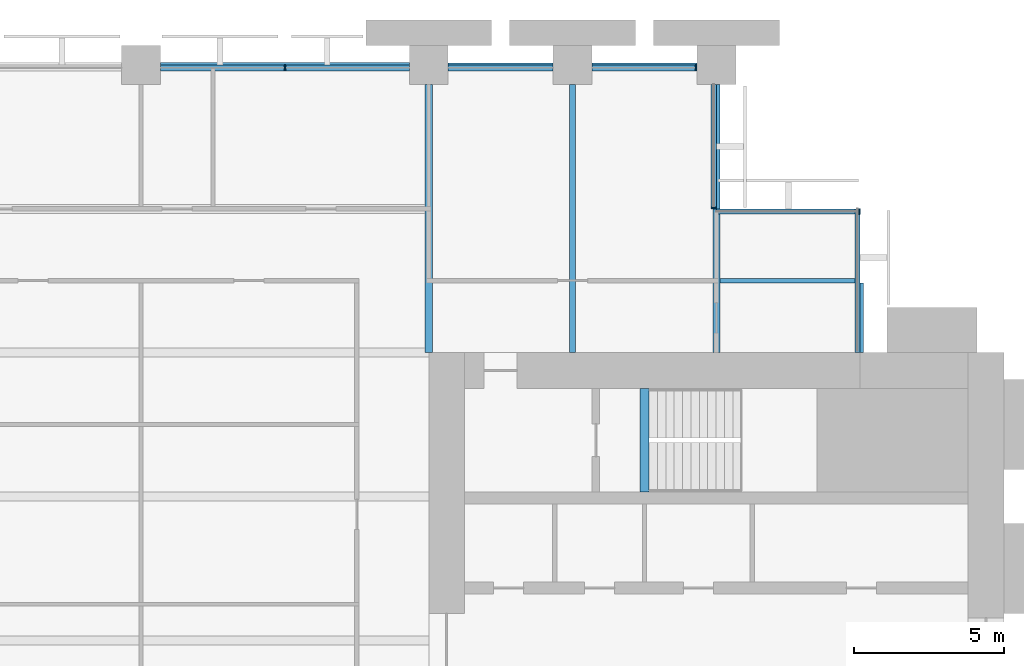
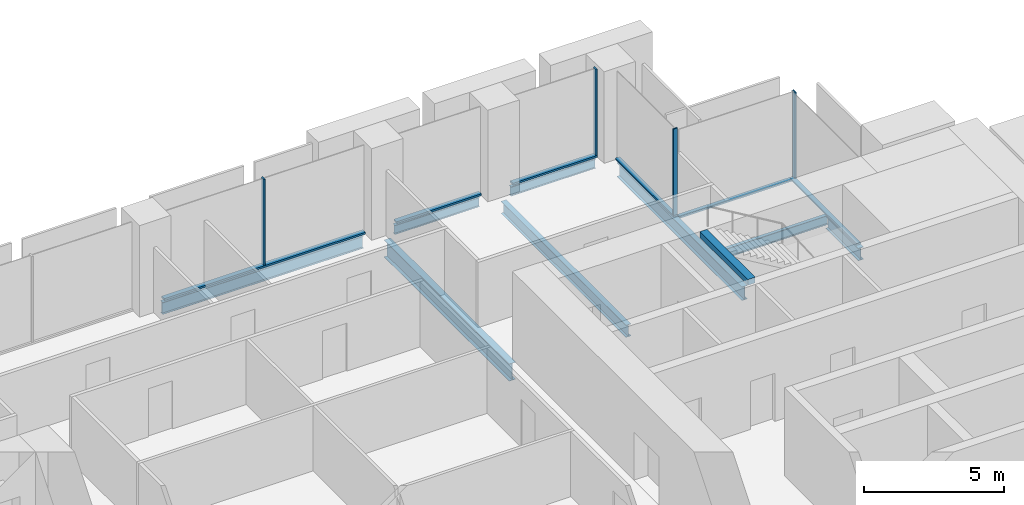
# One storey, part 7 of 14: 10 members, 9 beams, 4 elements without a shape of their own.
"""IFC4 building model written with IfcOpenShell, lengths in metres."""

from ifc_helpers import new_model, si_unit, direction, frame, origin, origin_2d, place, context, subcontext, project, spatial, rectangle, i_section, extrude, material, material_profile, profile_set, type_object, element, aggregate, save


model = new_model("IFC4")

# Units and contexts
model_context = context("Model", 3, precision=1e-05, world=origin(), true_north=direction((0.0, 1.0)))
body_context = subcontext(model_context, "Body", "Model", "MODEL_VIEW")
ifc_project = project(units=[si_unit("LENGTHUNIT", "METRE"), si_unit("AREAUNIT", "SQUARE_METRE"), si_unit("VOLUMEUNIT", "CUBIC_METRE"), si_unit("PLANEANGLEUNIT", "RADIAN"), si_unit("MASSUNIT", "GRAM", prefix="KILO")], contexts=[model_context])

# Site, building, storey
site_placement = place(None, origin())
site = spatial("IfcSite", under=ifc_project, at=site_placement, CompositionType="ELEMENT")
building_placement = place(site_placement, origin())
building = spatial("IfcBuilding", under=site, at=building_placement, Name="Baori Bourse Tower", CompositionType="ELEMENT")
storey_placement = place(building_placement, frame((0.0, 0.0, 55.0)))
storey = spatial("IfcBuildingStorey", under=building, at=storey_placement, Name="L11", CompositionType="ELEMENT", Elevation=55.0)

# Curtain wall, members
ifc_material_1 = material(Name="Pale anodised aluminium", Category="aluminium")
curtain_wall_type_1 = type_object("IfcCurtainWallType", Name="CW1 Curtain wall", PredefinedType="NOTDEFINED", material=ifc_material_1)
curtain_wall_1_placement = place(storey_placement, origin())
curtain_wall_1 = element("IfcCurtainWall", 1, at=curtain_wall_1_placement, inside=storey, type_object=curtain_wall_type_1, Name="Curtain wall CW1 L11 4", PredefinedType="NOTDEFINED")
ifc_material_2 = material(Name="Pale anodised aluminium", Category="aluminium")
ifc_material_profile_1 = material_profile(ifc_material_2, rectangle(XDim=0.199951171875, YDim=0.06005859375, at=origin_2d()), Name="Mullion 60x200")
ifc_profile_set_1 = profile_set([ifc_material_profile_1], Name="Pale anodised aluminium")
member_type_1 = type_object("IfcMemberType", Name="CW1 Curtain wall mullion", PredefinedType="MULLION", material=ifc_profile_set_1)
member_1_placement = place(storey_placement, frame((47.320068359375, 47.89990234375, 0.080078125), z_axis=(0.0, 0.0, 1.0), x_axis=(0.0, -1.0, 0.0)))
member_1 = element("IfcMember", 2, at=member_1_placement, type_object=member_type_1, Name="Curtain wall CW1 mullion", PredefinedType="MULLION", context=body_context, shape_type="SweptSolid", body=[
    extrude(rectangle(XDim=0.199951171875, YDim=0.06005859375, at=origin_2d()), origin(), (0.0, 0.0, 1.0), 3.760009765625),
])
member_2_placement = place(storey_placement, frame((33.60009765625, 47.89990234375, 0.080078125), z_axis=(0.0, 0.0, 1.0), x_axis=(0.0, -1.0, 0.0)))
member_2 = element("IfcMember", 3, at=member_2_placement, type_object=member_type_1, Name="Curtain wall CW1 mullion", PredefinedType="MULLION", context=body_context, shape_type="SweptSolid", body=[
    extrude(rectangle(XDim=0.199951171875, YDim=0.06005859375, at=origin_2d()), origin(), (0.0, 0.0, 1.0), 3.760009765625),
])
ifc_material_3 = material(Name="Pale anodised aluminium", Category="aluminium")
ifc_material_profile_2 = material_profile(ifc_material_3, rectangle(XDim=0.199951171875, YDim=0.080078125, at=origin_2d()), Name="Transom 80x200")
ifc_profile_set_2 = profile_set([ifc_material_profile_2], Name="Pale anodised aluminium")
member_type_2 = type_object("IfcMemberType", Name="CW1 Curtain wall transom", PredefinedType="USERDEFINED", material=ifc_profile_set_2)
member_3_placement = place(storey_placement, frame((47.35009765625, 47.89990234375, 0.0400390625), z_axis=(-1.0, 0.0, 0.0), x_axis=(0.0, -1.0, 0.0)))
member_3 = element("IfcMember", 4, at=member_3_placement, type_object=member_type_2, Name="Curtain wall CW1 sill rail", ObjectType="TRANSOM", PredefinedType="USERDEFINED", context=body_context, shape_type="SweptSolid", body=[
    extrude(rectangle(XDim=0.199951171875, YDim=0.080078125, at=origin_2d()), origin(), (0.0, 0.0, 1.0), 3.5),
])
member_4_placement = place(storey_placement, frame((42.550048828125, 47.89990234375, 0.0400390625), z_axis=(-1.0, 0.0, 0.0), x_axis=(0.0, -1.0, 0.0)))
member_4 = element("IfcMember", 5, at=member_4_placement, type_object=member_type_2, Name="Curtain wall CW1 sill rail", ObjectType="TRANSOM", PredefinedType="USERDEFINED", context=body_context, shape_type="SweptSolid", body=[
    extrude(rectangle(XDim=0.199951171875, YDim=0.080078125, at=origin_2d()), origin(), (0.0, 0.0, 1.0), 3.5),
])
member_5_placement = place(storey_placement, frame((37.75, 47.89990234375, 0.0400390625), z_axis=(-1.0, 0.0, 0.0), x_axis=(0.0, -1.0, 0.0)))
member_5 = element("IfcMember", 6, at=member_5_placement, type_object=member_type_2, Name="Curtain wall CW1 sill rail", ObjectType="TRANSOM", PredefinedType="USERDEFINED", context=body_context, shape_type="SweptSolid", body=[
    extrude(rectangle(XDim=0.199951171875, YDim=0.080078125, at=origin_2d()), origin(), (0.0, 0.0, 1.0), 8.300048828125),
])
aggregate(curtain_wall_1, [member_3, member_1, member_4, member_5, member_2])

# Curtain wall, member
ifc_material_4 = material(Name="Pale anodised aluminium", Category="aluminium")
curtain_wall_type_2 = type_object("IfcCurtainWallType", Name="CW2 Curtain wall", PredefinedType="NOTDEFINED", material=ifc_material_4)
curtain_wall_2_placement = place(storey_placement, origin())
curtain_wall_2 = element("IfcCurtainWall", 7, at=curtain_wall_2_placement, inside=storey, type_object=curtain_wall_type_2, Name="Curtain wall CW2 L11 2", PredefinedType="NOTDEFINED")
ifc_material_5 = material(Name="Pale anodised aluminium", Category="aluminium")
ifc_material_profile_3 = material_profile(ifc_material_5, rectangle(XDim=0.179931640625, YDim=0.054931640625, at=origin_2d()), Name="Mullion 55x180")
ifc_profile_set_3 = profile_set([ifc_material_profile_3], Name="Pale anodised aluminium")
member_type_3 = type_object("IfcMemberType", Name="CW2 Curtain wall mullion", PredefinedType="MULLION", material=ifc_profile_set_3)
member_6_placement = place(storey_placement, frame((52.7724609375, 43.110107421875, 0.070068359375), z_axis=(0.0, 0.0, 1.0), x_axis=(0.0, -1.0, 0.0)))
member_6 = element("IfcMember", 8, at=member_6_placement, type_object=member_type_3, Name="Curtain wall CW2 mullion", PredefinedType="MULLION", context=body_context, shape_type="SweptSolid", body=[
    extrude(rectangle(XDim=0.179931640625, YDim=0.054931640625, at=origin_2d()), origin(), (0.0, 0.0, 1.0), 3.77001953125),
])

curtain_wall_3_placement = place(storey_placement, origin())
curtain_wall_3 = element("IfcCurtainWall", 9, at=curtain_wall_3_placement, inside=storey, type_object=curtain_wall_type_2, Name="Curtain wall CW2 L11 3", PredefinedType="NOTDEFINED")
member_7_placement = place(storey_placement, frame((47.909912109375, 43.2275390625, 0.070068359375), z_axis=(0.0, 0.0, 1.0), x_axis=(-1.0, 0.0, 0.0)))
member_7 = element("IfcMember", 10, at=member_7_placement, type_object=member_type_3, Name="Curtain wall CW2 mullion", PredefinedType="MULLION", context=body_context, shape_type="SweptSolid", body=[
    extrude(rectangle(XDim=0.179931640625, YDim=0.054931640625, at=origin_2d()), origin(), (0.0, 0.0, 1.0), 3.77001953125),
])

curtain_wall_4_placement = place(storey_placement, origin())
curtain_wall_4 = element("IfcCurtainWall", 11, at=curtain_wall_4_placement, inside=storey, type_object=curtain_wall_type_2, Name="Curtain wall CW2 L11 1", PredefinedType="NOTDEFINED")
ifc_material_6 = material(Name="Pale anodised aluminium", Category="aluminium")
ifc_material_profile_4 = material_profile(ifc_material_6, rectangle(XDim=0.179931640625, YDim=0.070068359375, at=origin_2d()), Name="Transom 70x180")
ifc_profile_set_4 = profile_set([ifc_material_profile_4], Name="Pale anodised aluminium")
member_type_4 = type_object("IfcMemberType", Name="CW2 Curtain wall transom", PredefinedType="USERDEFINED", material=ifc_profile_set_4)
member_8_placement = place(storey_placement, frame((52.7099609375, 38.39990234375, 0.034912109375), z_axis=(0.0, 1.0, 0.0), x_axis=(-1.0, 0.0, 0.0)))
member_8 = element("IfcMember", 12, at=member_8_placement, type_object=member_type_4, Name="Curtain wall CW2 sill rail", ObjectType="TRANSOM", PredefinedType="USERDEFINED", context=body_context, shape_type="SweptSolid", body=[
    extrude(rectangle(XDim=0.179931640625, YDim=0.070068359375, at=origin_2d()), origin(), (0.0, 0.0, 1.0), 4.800048828125),
])
aggregate(curtain_wall_4, [member_8])

# Member
member_9_placement = place(storey_placement, frame((52.800048828125, 43.110107421875, 0.034912109375), z_axis=(-1.0, 0.0, 0.0), x_axis=(0.0, -1.0, 0.0)))
member_9 = element("IfcMember", 13, at=member_9_placement, type_object=member_type_4, Name="Curtain wall CW2 sill rail", ObjectType="TRANSOM", PredefinedType="USERDEFINED", context=body_context, shape_type="SweptSolid", body=[
    extrude(rectangle(XDim=0.179931640625, YDim=0.070068359375, at=origin_2d()), origin(), (0.0, 0.0, 1.0), 4.800048828125),
])

aggregate(curtain_wall_2, [member_9, member_6])

member_10_placement = place(storey_placement, frame((47.909912109375, 43.199951171875, 0.034912109375), z_axis=(0.0, 1.0, 0.0), x_axis=(-1.0, 0.0, 0.0)))
member_10 = element("IfcMember", 14, at=member_10_placement, type_object=member_type_4, Name="Curtain wall CW2 sill rail", ObjectType="TRANSOM", PredefinedType="USERDEFINED", context=body_context, shape_type="SweptSolid", body=[
    extrude(rectangle(XDim=0.179931640625, YDim=0.070068359375, at=origin_2d()), origin(), (0.0, 0.0, 1.0), 4.150146484375),
])

aggregate(curtain_wall_3, [member_10, member_7])

# Beams
ifc_material_7 = material(Name="Steel A992 Gr 50", Category="steel")
ifc_material_profile_5 = material_profile(ifc_material_7, i_section(OverallWidth=0.21240234375, OverallDepth=0.54345703125, WebThickness=0.01318359375, FlangeThickness=0.021240234375, at=origin_2d()), Name="W21x83")
ifc_profile_set_5 = profile_set([ifc_material_profile_5], Name="Steel A992 Gr 50")
beam_type_1 = type_object("IfcBeamType", Name="Core bracket W21x83", PredefinedType="BEAM", material=ifc_profile_set_5)
beam_1_placement = place(storey_placement, frame((52.800048828125, 38.39990234375, -0.431884765625), z_axis=(0.0, 1.0, 0.0), x_axis=(-1.0, 0.0, 0.0)))
element("IfcBeam", 15, at=beam_1_placement, inside=storey, type_object=beam_type_1, Name="Core bracket L11", PredefinedType="BEAM", context=body_context, shape_type="SweptSolid", body=[
    extrude(i_section(OverallWidth=0.21240234375, OverallDepth=0.54345703125, WebThickness=0.01318359375, FlangeThickness=0.021240234375, at=origin_2d()), origin(), (0.0, 0.0, 1.0), 2.329833984375),
])
ifc_material_8 = material(Name="Steel A992 Gr 50", Category="steel")
ifc_material_profile_6 = material_profile(ifc_material_8, i_section(OverallWidth=0.140380859375, OverallDepth=0.40380859375, WebThickness=0.007080078125, FlangeThickness=0.01123046875, at=origin_2d()), Name="W16x31")
ifc_profile_set_6 = profile_set([ifc_material_profile_6], Name="Steel A992 Gr 50")
beam_type_2 = type_object("IfcBeamType", Name="Edge beam W16x31", PredefinedType="BEAM", material=ifc_profile_set_6)
for number, where, z_axis, x_axis, name in (
    (16, (39.050048828125, 48.0, -0.36181640625), (1.0, 0.0, 0.0), (0.0, 1.0, 0.0), "Edge beam L11"),
    (17, (43.85009765625, 48.0, -0.36181640625), (1.0, 0.0, 0.0), (0.0, 1.0, 0.0), "Edge beam L11"),
):
    element("IfcBeam", number, at=place(storey_placement, frame(where, z_axis=z_axis, x_axis=x_axis)), inside=storey, type_object=beam_type_2, Name=name, PredefinedType="BEAM", context=body_context, shape_type="SweptSolid", body=[
        extrude(i_section(OverallWidth=0.140380859375, OverallDepth=0.40380859375, WebThickness=0.007080078125, FlangeThickness=0.01123046875, at=origin_2d()), origin(), (0.0, 0.0, 1.0), 3.5),
    ])
ifc_material_9 = material(Name="Steel A992 Gr 50", Category="steel")
ifc_material_profile_7 = material_profile(ifc_material_9, i_section(OverallWidth=0.1650390625, OverallDepth=0.52587890625, WebThickness=0.0087890625, FlangeThickness=0.011474609375, at=origin_2d()), Name="W21x44")
ifc_profile_set_7 = profile_set([ifc_material_profile_7], Name="Steel A992 Gr 50")
beam_type_3 = type_object("IfcBeamType", Name="Edge beam W21x44", PredefinedType="BEAM", material=ifc_profile_set_7)
beam_2_placement = place(storey_placement, frame((29.449951171875, 48.0, -0.4228515625), z_axis=(1.0, 0.0, 0.0), x_axis=(0.0, 1.0, 0.0)))
element("IfcBeam", 18, at=beam_2_placement, inside=storey, type_object=beam_type_3, Name="Edge beam L11", PredefinedType="BEAM", context=body_context, shape_type="SweptSolid", body=[
    extrude(i_section(OverallWidth=0.1650390625, OverallDepth=0.52587890625, WebThickness=0.0087890625, FlangeThickness=0.011474609375, at=origin_2d()), origin(), (0.0, 0.0, 1.0), 8.300048828125),
])
ifc_material_10 = material(Name="Steel A992 Gr 50", Category="steel")
ifc_material_profile_8 = material_profile(ifc_material_10, i_section(OverallWidth=0.209228515625, OverallDepth=0.533447265625, WebThickness=0.01025390625, FlangeThickness=0.015625, at=origin_2d()), Name="W21x62")
ifc_profile_set_8 = profile_set([ifc_material_profile_8], Name="Steel A992 Gr 50")
beam_type_4 = type_object("IfcBeamType", Name="Floor beam W21x62", PredefinedType="BEAM", material=ifc_profile_set_8)
beam_3_placement = place(storey_placement, frame((43.199951171875, 38.39990234375, -0.4267578125), z_axis=(0.0, 1.0, 0.0), x_axis=(-1.0, 0.0, 0.0)))
element("IfcBeam", 19, at=beam_3_placement, inside=storey, type_object=beam_type_4, Name="Floor beam L11", PredefinedType="BEAM", context=body_context, shape_type="SweptSolid", body=[
    extrude(i_section(OverallWidth=0.209228515625, OverallDepth=0.533447265625, WebThickness=0.01025390625, FlangeThickness=0.015625, at=origin_2d()), origin(), (0.0, 0.0, 1.0), 8.9501953125),
])
ifc_material_11 = material(Name="Steel A992 Gr 50", Category="steel")
ifc_material_profile_9 = material_profile(ifc_material_11, i_section(OverallWidth=0.227783203125, OverallDepth=0.60205078125, WebThickness=0.010498046875, FlangeThickness=0.014892578125, at=origin_2d()), Name="W24x68")
ifc_profile_set_9 = profile_set([ifc_material_profile_9], Name="Steel A992 Gr 50")
beam_type_5 = type_object("IfcBeamType", Name="Floor beam W24x68", PredefinedType="BEAM", material=ifc_profile_set_9)
beam_4_placement = place(storey_placement, frame((48.0, 38.39990234375, -0.4609375), z_axis=(0.0, 1.0, 0.0), x_axis=(-1.0, 0.0, 0.0)))
element("IfcBeam", 20, at=beam_4_placement, inside=storey, type_object=beam_type_5, Name="Floor beam L11", PredefinedType="BEAM", context=body_context, shape_type="SweptSolid", body=[
    extrude(i_section(OverallWidth=0.227783203125, OverallDepth=0.60205078125, WebThickness=0.010498046875, FlangeThickness=0.014892578125, at=origin_2d()), origin(), (0.0, 0.0, 1.0), 8.9501953125),
])
ifc_material_12 = material(Name="Steel A992 Gr 50", Category="steel")
ifc_material_profile_10 = material_profile(ifc_material_12, i_section(OverallWidth=0.2666015625, OverallDepth=0.7568359375, WebThickness=0.013916015625, FlangeThickness=0.019287109375, at=origin_2d()), Name="W30x108")
ifc_profile_set_10 = profile_set([ifc_material_profile_10], Name="Steel A992 Gr 50")
beam_type_6 = type_object("IfcBeamType", Name="Girder W30x108", PredefinedType="BEAM", material=ifc_profile_set_10)
beam_5_placement = place(storey_placement, frame((38.39990234375, 38.39990234375, -0.53857421875), z_axis=(0.0, 1.0, 0.0), x_axis=(-1.0, 0.0, 0.0)))
element("IfcBeam", 21, at=beam_5_placement, inside=storey, type_object=beam_type_6, Name="Girder L11", PredefinedType="BEAM", context=body_context, shape_type="SweptSolid", body=[
    extrude(i_section(OverallWidth=0.2666015625, OverallDepth=0.7568359375, WebThickness=0.013916015625, FlangeThickness=0.019287109375, at=origin_2d()), origin(), (0.0, 0.0, 1.0), 8.9501953125),
])
ifc_material_13 = material(Name="Concrete f'c 50 MPa", Category="concrete")
ifc_material_profile_11 = material_profile(ifc_material_13, rectangle(XDim=0.300048828125, YDim=0.25, at=origin_2d()), Name="RC 300x250")
ifc_profile_set_11 = profile_set([ifc_material_profile_11], Name="Concrete f'c 50 MPa")
beam_type_7 = type_object("IfcBeamType", Name="Stair nib beam RC 300x250", PredefinedType="BEAM", material=ifc_profile_set_11)
beam_6_placement = place(storey_placement, frame((45.60009765625, 33.75, 3.715087890625), z_axis=(0.0, 1.0, 0.0), x_axis=(-1.0, 0.0, 0.0)))
element("IfcBeam", 22, at=beam_6_placement, inside=storey, type_object=beam_type_7, Name="Stair EB nib beam L12", PredefinedType="BEAM", context=body_context, shape_type="SweptSolid", body=[
    extrude(rectangle(XDim=0.300048828125, YDim=0.25, at=origin_2d()), origin(), (0.0, 0.0, 1.0), 3.449951171875),
])
ifc_material_14 = material(Name="Steel A992 Gr 50", Category="steel")
ifc_material_profile_12 = material_profile(ifc_material_14, i_section(OverallWidth=0.140380859375, OverallDepth=0.40380859375, WebThickness=0.007080078125, FlangeThickness=0.01123046875, at=origin_2d()), Name="W16x31")
ifc_profile_set_12 = profile_set([ifc_material_profile_12], Name="Steel A992 Gr 50")
beam_type_8 = type_object("IfcBeamType", Name="Trimmer beam W16x31", PredefinedType="BEAM", material=ifc_profile_set_12)
beam_7_placement = place(storey_placement, frame((48.114013671875, 40.800048828125, -0.36181640625), z_axis=(1.0, 0.0, 0.0), x_axis=(0.0, 1.0, 0.0)))
element("IfcBeam", 23, at=beam_7_placement, inside=storey, type_object=beam_type_8, Name="Trimmer beam L11", PredefinedType="BEAM", context=body_context, shape_type="SweptSolid", body=[
    extrude(i_section(OverallWidth=0.140380859375, OverallDepth=0.40380859375, WebThickness=0.007080078125, FlangeThickness=0.01123046875, at=origin_2d()), origin(), (0.0, 0.0, 1.0), 4.68603515625),
])

save(model, "model.ifc")
